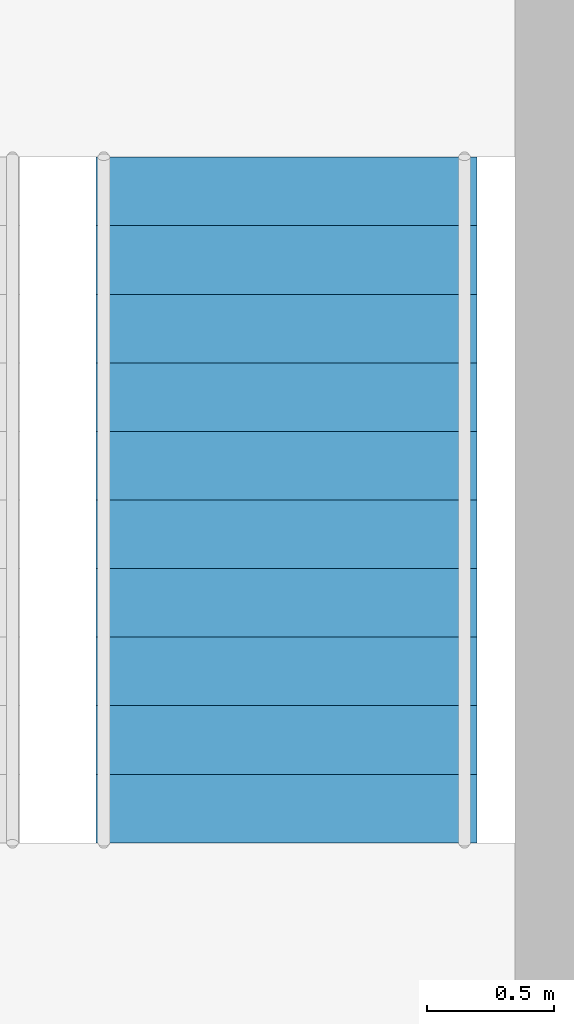
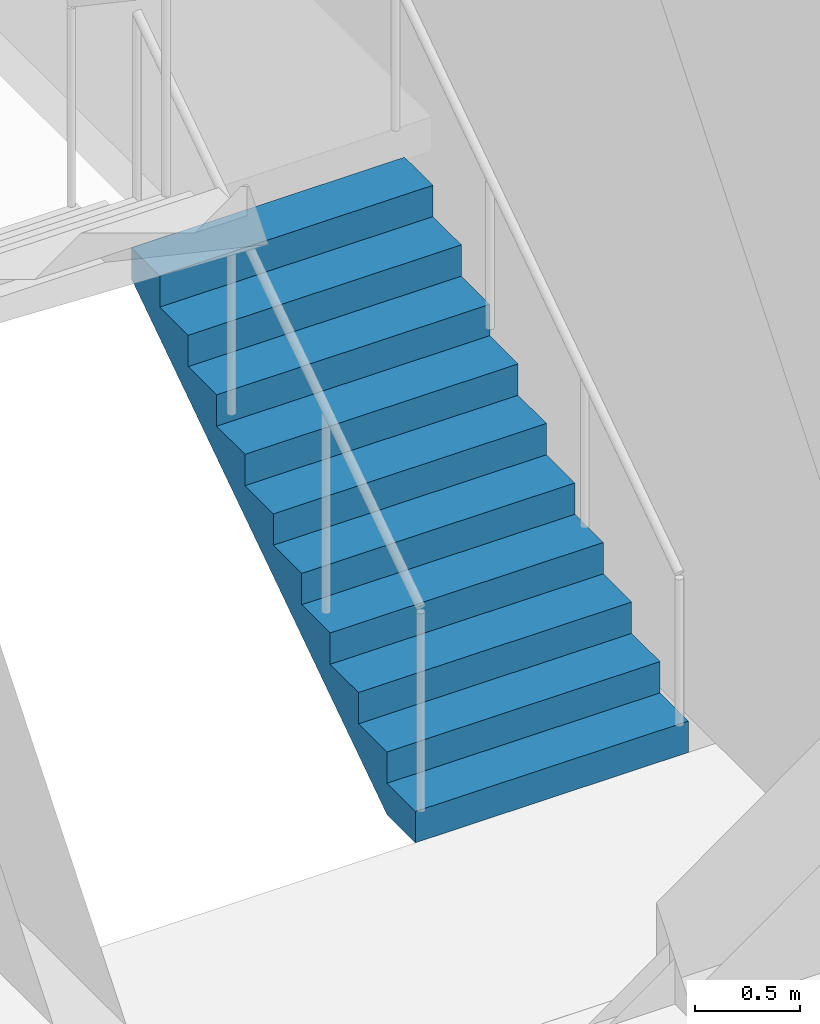
# One storey, part 15 of 16: 1 stair flight, 1 element without a shape of its own.
"""IFC4 building model written with IfcOpenShell, lengths in metres."""

from ifc_helpers import new_model, si_unit, direction, frame, origin, place, context, subcontext, project, spatial, polyline, outline, extrude, material, type_object, element, aggregate, save


model = new_model("IFC4")

# Units and contexts
model_context = context("Model", 3, precision=1e-05, world=origin(), true_north=direction((0.0, 1.0)))
body_context = subcontext(model_context, "Body", "Model", "MODEL_VIEW")
ifc_project = project(units=[si_unit("LENGTHUNIT", "METRE"), si_unit("AREAUNIT", "SQUARE_METRE"), si_unit("VOLUMEUNIT", "CUBIC_METRE"), si_unit("PLANEANGLEUNIT", "RADIAN"), si_unit("MASSUNIT", "GRAM", prefix="KILO")], contexts=[model_context])

# Site, building, storey
site_placement = place(None, origin())
site = spatial("IfcSite", under=ifc_project, at=site_placement, CompositionType="ELEMENT")
building_placement = place(site_placement, origin())
building = spatial("IfcBuilding", under=site, at=building_placement, Name="Peilmerk Tower", CompositionType="ELEMENT")
storey_placement = place(building_placement, frame((0.0, 0.0, 273.800048828125)))
storey = spatial("IfcBuildingStorey", under=building, at=storey_placement, Name="L61", CompositionType="ELEMENT", Elevation=273.800048828125)

# Stair, stair flight
ifc_material = material(Name="Precast concrete C45/55", Category="concrete")
stair_type = type_object("IfcStairType", Name="ST2 22 risers of 181.8", PredefinedType="HALF_TURN_STAIR", material=ifc_material)
stair_placement = place(storey_placement, origin())
stair = element("IfcStair", 1, at=stair_placement, inside=storey, type_object=stair_type, Name="Stair 2 L61 to L62", PredefinedType="HALF_TURN_STAIR")
stair_flight_type = type_object("IfcStairFlightType", Name="SF11 flight, 11 risers of 181.8", PredefinedType="STRAIGHT", material=ifc_material)
stair_flight_placement = place(storey_placement, frame((9.60009765625, -2.89990234375, 0.0), z_axis=(0.0, 0.0, 1.0), x_axis=(0.0, 1.0, 0.0)))
stair_flight = element("IfcStairFlight", 2, at=stair_flight_placement, type_object=stair_flight_type, Name="ST2 flight 1", NumberOfRisers=11, NumberOfTreads=10, PredefinedType="STRAIGHT", RiserHeight=0.181818182, TreadLength=0.27, context=body_context, shape_type="SweptSolid", body=[
    extrude(outline(polyline([(0.0, 0.0), (0.0, 0.181884765625), (0.27001953125, 0.181884765625), (0.27001953125, 0.363525390625), (0.5400390625, 0.363525390625), (0.5400390625, 0.54541015625), (0.81005859375, 0.54541015625), (0.81005859375, 0.727294921875), (1.080078125, 0.727294921875), (1.080078125, 0.9091796875), (1.35009765625, 0.9091796875), (1.35009765625, 1.0908203125), (1.6201171875, 1.0908203125), (1.6201171875, 1.272705078125), (1.889892578125, 1.272705078125), (1.889892578125, 1.45458984375), (2.159912109375, 1.45458984375), (2.159912109375, 1.636474609375), (2.429931640625, 1.636474609375), (2.429931640625, 1.818115234375), (2.699951171875, 1.818115234375), (2.699951171875, 2.0), (2.699951171875, 1.637451171875), (0.268310546875, 0.0), (0.0, 0.0)])), frame((0.0, 0.75, 0.0), z_axis=(0.0, -1.0, 0.0), x_axis=(1.0, 0.0, 0.0)), (0.0, 0.0, 1.0), 1.5),
])
aggregate(stair, [stair_flight])

save(model, "model.ifc")
